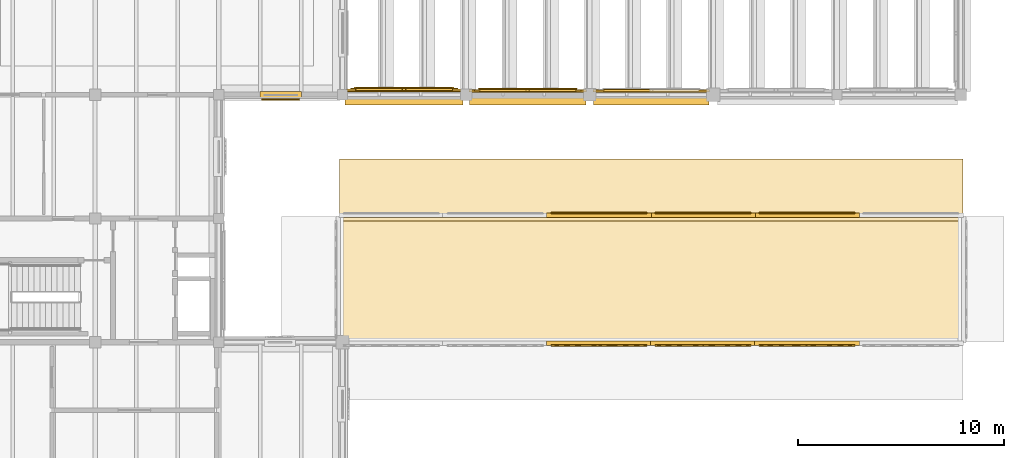
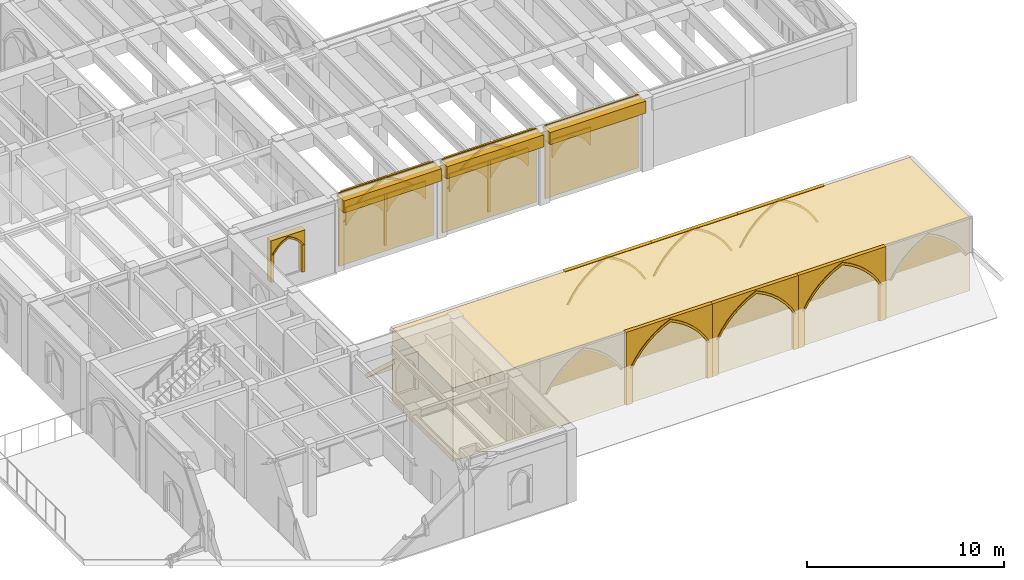
# One storey, part 122 of 127: 36 coverings.
"""IFC4 building model written with IfcOpenShell, lengths in metres."""

from ifc_helpers import new_model, si_unit, direction, frame, origin, origin_2d, place, context, subcontext, project, spatial, polyline, rectangle, outline, extrude, material, type_object, element, save


model = new_model("IFC4")

# Units and contexts
model_context = context("Model", 3, precision=1e-05, world=origin(), true_north=direction((0.0, 1.0)))
body_context = subcontext(model_context, "Body", "Model", "MODEL_VIEW")
ifc_project = project(units=[si_unit("LENGTHUNIT", "METRE"), si_unit("AREAUNIT", "SQUARE_METRE"), si_unit("VOLUMEUNIT", "CUBIC_METRE"), si_unit("PLANEANGLEUNIT", "RADIAN"), si_unit("MASSUNIT", "GRAM", prefix="KILO")], contexts=[model_context])

# Site, building, storey
site_placement = place(None, origin())
site = spatial("IfcSite", under=ifc_project, at=site_placement, CompositionType="ELEMENT")
building_placement = place(site_placement, origin())
building = spatial("IfcBuilding", under=site, at=building_placement, Name="Cumevento Cable Car Station", CompositionType="ELEMENT")
storey_placement = place(building_placement, frame((0.0, 0.0, 4.5)))
storey = spatial("IfcBuildingStorey", under=building, at=storey_placement, Name="L02", CompositionType="ELEMENT", Elevation=4.5)

# Coverings
ifc_material = material(Name="Gnaisse Facoidal Stone Ashlar 85 MPa", Category="masonry")
covering_type = type_object("IfcCoveringType", Name="Gnaisse Ashlar Cladding CV-CL01", PredefinedType="CLADDING", material=ifc_material)
covering_1_placement = place(storey_placement, frame((138.987548828125, 32.85009765625, 3.718017578125), z_axis=(0.0, 0.0, 1.0), x_axis=(1.0, 0.0, 0.0)))
element("IfcCovering", 1, at=covering_1_placement, inside=storey, type_object=covering_type, Name="Gothic Stone Spandrel Stringcourse sc:0455", PredefinedType="CLADDING", context=body_context, shape_type="SweptSolid", body=[
    extrude(rectangle(XDim=5.715087890625, YDim=0.659912109375, at=origin_2d()), origin(), (0.0, 0.0, 1.0), 0.7470703125),
])
covering_2_placement = place(storey_placement, frame((138.987548828125, 33.20751953125, 4.3349609375), z_axis=(0.0, 0.0, 1.0), x_axis=(1.0, 0.0, 0.0)))
element("IfcCovering", 2, at=covering_2_placement, inside=storey, type_object=covering_type, Name="Gothic Cornice Dripstone Lip sc:0455", PredefinedType="CLADDING", context=body_context, shape_type="SweptSolid", body=[
    extrude(rectangle(XDim=5.7548828125, YDim=0.114990234375, at=origin_2d()), origin(), (0.0, 0.0, 1.0), 0.1298828125),
])
covering_3_placement = place(storey_placement, frame((144.987548828125, 32.85009765625, 3.722900390625), z_axis=(0.0, 0.0, 1.0), x_axis=(1.0, 0.0, 0.0)))
element("IfcCovering", 3, at=covering_3_placement, inside=storey, type_object=covering_type, Name="Gothic Stone Spandrel Stringcourse sc:0456", PredefinedType="CLADDING", context=body_context, shape_type="SweptSolid", body=[
    extrude(rectangle(XDim=5.6650390625, YDim=0.659912109375, at=origin_2d()), origin(), (0.0, 0.0, 1.0), 0.7470703125),
])
covering_4_placement = place(storey_placement, frame((144.987548828125, 33.20751953125, 4.340087890625), z_axis=(0.0, 0.0, 1.0), x_axis=(1.0, 0.0, 0.0)))
element("IfcCovering", 4, at=covering_4_placement, inside=storey, type_object=covering_type, Name="Gothic Cornice Dripstone Lip sc:0456", PredefinedType="CLADDING", context=body_context, shape_type="SweptSolid", body=[
    extrude(rectangle(XDim=5.705078125, YDim=0.114990234375, at=origin_2d()), origin(), (0.0, 0.0, 1.0), 0.1298828125),
])
covering_5_placement = place(storey_placement, frame((150.987548828125, 32.85009765625, 3.722900390625), z_axis=(0.0, 0.0, 1.0), x_axis=(1.0, 0.0, 0.0)))
element("IfcCovering", 5, at=covering_5_placement, inside=storey, type_object=covering_type, Name="Gothic Stone Spandrel Stringcourse sc:0457", PredefinedType="CLADDING", context=body_context, shape_type="SweptSolid", body=[
    extrude(rectangle(XDim=5.614990234375, YDim=0.659912109375, at=origin_2d()), origin(), (0.0, 0.0, 1.0), 0.7470703125),
])
covering_6_placement = place(storey_placement, frame((150.987548828125, 33.20751953125, 4.340087890625), z_axis=(0.0, 0.0, 1.0), x_axis=(1.0, 0.0, 0.0)))
element("IfcCovering", 6, at=covering_6_placement, inside=storey, type_object=covering_type, Name="Gothic Cornice Dripstone Lip sc:0457", PredefinedType="CLADDING", context=body_context, shape_type="SweptSolid", body=[
    extrude(rectangle(XDim=5.655029296875, YDim=0.114990234375, at=origin_2d()), origin(), (0.0, 0.0, 1.0), 0.1298828125),
])
covering_7_placement = place(storey_placement, frame((136.25, 33.0, 0.0), z_axis=(0.0, 0.0, 1.0), x_axis=(1.0, 0.0, 0.0)))
element("IfcCovering", 7, at=covering_7_placement, inside=storey, type_object=covering_type, Name="Exterior Gnaisse Stone Wall Ashlar #89", PredefinedType="CLADDING", context=body_context, shape_type="SweptSolid", body=[
    extrude(outline(polyline([(-0.0400390625, -0.02001953125), (5.514892578125, -0.02001953125), (5.514892578125, 4.52001953125), (-0.0400390625, 4.52001953125), (-0.0400390625, -0.02001953125)])), frame((0.0, 0.27490234375, 0.0), z_axis=(0.0, -1.0, 0.0), x_axis=(1.0, 0.0, 0.0)), (0.0, 0.0, 1.0), 0.0849609375),
])
placement_1 = place(storey_placement, frame((136.429931640625, 33.0, 0.300048828125), z_axis=(0.0, 0.0, 1.0), x_axis=(1.0, 0.0, 0.0)))
element("IfcCovering", 8, at=placement_1, inside=storey, type_object=covering_type, Name="Gothic Ogival Pointed-Arch Stone Spandrel blind_ogival:0089", PredefinedType="CLADDING", context=body_context, shape_type="SweptSolid", body=[
    extrude(outline(polyline([(-0.050048828125, 0.0), (-0.050048828125, 4.239990234375), (5.1650390625, 4.239990234375), (5.1650390625, 0.0), (4.85498046875, 0.0), (4.85498046875, 2.219970703125), (4.600830078125, 2.55859375), (4.31787109375, 2.87353515625), (4.0087890625, 3.162841796875), (3.67529296875, 3.423828125), (3.320556640625, 3.65478515625), (2.947021484375, 3.85400390625), (2.5576171875, 4.02001953125), (2.16796875, 3.85400390625), (1.79443359375, 3.65478515625), (1.439697265625, 3.423828125), (1.106201171875, 3.162841796875), (0.797119140625, 2.87353515625), (0.51416015625, 2.55859375), (0.260009765625, 2.219970703125), (0.260009765625, 0.0), (-0.050048828125, 0.0)])), frame((0.0, 0.330078125, 0.0), z_axis=(0.0, -1.0, 0.0), x_axis=(1.0, 0.0, 0.0)), (0.0, 0.0, 1.0), 0.110107421875),
])
covering_9_placement = place(storey_placement, frame((136.429931640625, 33.0, 2.52001953125), z_axis=(0.0, 0.0, 1.0), x_axis=(1.0, 0.0, 0.0)))
element("IfcCovering", 9, at=covering_9_placement, inside=storey, type_object=covering_type, Name="Gothic Pointed Archivolt Hood Moulding blind_ogival:0089", PredefinedType="CLADDING", context=body_context, shape_type="SweptSolid", body=[
    extrude(outline(polyline([(0.260009765625, 0.0), (0.51416015625, 0.338623046875), (0.797119140625, 0.653564453125), (1.106201171875, 0.94287109375), (1.439697265625, 1.203857421875), (1.79443359375, 1.434814453125), (2.16796875, 1.634033203125), (2.5576171875, 1.800048828125), (2.947021484375, 1.634033203125), (3.320556640625, 1.434814453125), (3.67529296875, 1.203857421875), (4.0087890625, 0.94287109375), (4.31787109375, 0.653564453125), (4.600830078125, 0.338623046875), (4.85498046875, 0.0), (4.97607421875, 0.0), (4.71240234375, 0.365966796875), (4.417236328125, 0.70703125), (4.0927734375, 1.0205078125), (3.74169921875, 1.3037109375), (3.36669921875, 1.554443359375), (2.970947265625, 1.77099609375), (2.5576171875, 1.951171875), (2.14404296875, 1.77099609375), (1.748291015625, 1.554443359375), (1.373291015625, 1.3037109375), (1.022216796875, 1.0205078125), (0.69775390625, 0.70703125), (0.402587890625, 0.365966796875), (0.138916015625, 0.0), (0.260009765625, 0.0)])), frame((0.0, 0.3720703125, 0.0), z_axis=(0.0, -1.0, 0.0), x_axis=(1.0, 0.0, 0.0)), (0.0, 0.0, 1.0), 0.06689453125),
])
element("IfcCovering", 10, at=placement_1, inside=storey, type_object=covering_type, Name="Gothic Bifora Stone Colonnette blind_ogival:0089 #1", PredefinedType="CLADDING", context=body_context, shape_type="SweptSolid", body=[
    extrude(outline(polyline([(2.482421875, -0.02001953125), (2.632568359375, -0.02001953125), (2.632568359375, 3.156005859375), (2.482421875, 3.156005859375), (2.482421875, -0.02001953125)])), frame((0.0, 0.318115234375, 0.0), z_axis=(0.0, -1.0, 0.0), x_axis=(1.0, 0.0, 0.0)), (0.0, 0.0, 1.0), 0.094970703125),
])
for number, where, z_axis, x_axis, name in (
    (11, (136.659912109375, 33.0, 2.340087890625), (0.0, 0.0, 1.0), (1.0, 0.0, 0.0), "Gothic Ogival Pointed-Arch Stone Spandrel blind_ogival:0089:sub:0"),
    (12, (139.032470703125, 33.0, 2.340087890625), (0.0, 0.0, 1.0), (1.0, 0.0, 0.0), "Gothic Ogival Pointed-Arch Stone Spandrel blind_ogival:0089:sub:1"),
):
    element("IfcCovering", number, at=place(storey_placement, frame(where, z_axis=z_axis, x_axis=x_axis)), inside=storey, type_object=covering_type, Name=name, PredefinedType="CLADDING", context=body_context, shape_type="SweptSolid", body=[
        extrude(outline(polyline([(-0.02001953125, 0.0), (-0.02001953125, 1.115966796875), (2.302490234375, 1.115966796875), (2.302490234375, 0.0), (2.242431640625, 0.0), (2.10986328125, 0.21435546875), (1.9541015625, 0.41259765625), (1.77685546875, 0.592041015625), (1.58056640625, 0.750244140625), (1.367919921875, 0.885498046875), (1.141357421875, 0.99609375), (0.91455078125, 0.885498046875), (0.701904296875, 0.750244140625), (0.505615234375, 0.592041015625), (0.328369140625, 0.41259765625), (0.172607421875, 0.21435546875), (0.0400390625, 0.0), (-0.02001953125, 0.0)])), frame((0.0, 0.31396484375, 0.0), z_axis=(0.0, -1.0, 0.0), x_axis=(1.0, 0.0, 0.0)), (0.0, 0.0, 1.0), 0.090087890625),
    ])
covering_11_placement = place(storey_placement, frame((142.27490234375, 33.0, 0.0), z_axis=(0.0, 0.0, 1.0), x_axis=(1.0, 0.0, 0.0)))
element("IfcCovering", 13, at=covering_11_placement, inside=storey, type_object=covering_type, Name="Exterior Gnaisse Stone Wall Ashlar #90", PredefinedType="CLADDING", context=body_context, shape_type="SweptSolid", body=[
    extrude(outline(polyline([(-0.0400390625, -0.02001953125), (5.465087890625, -0.02001953125), (5.465087890625, 4.52001953125), (-0.0400390625, 4.52001953125), (-0.0400390625, -0.02001953125)])), frame((0.0, 0.215087890625, 0.0), z_axis=(0.0, -1.0, 0.0), x_axis=(1.0, 0.0, 0.0)), (0.0, 0.0, 1.0), 0.0849609375),
])
placement_2 = place(storey_placement, frame((142.455078125, 33.0, 0.300048828125), z_axis=(0.0, 0.0, 1.0), x_axis=(1.0, 0.0, 0.0)))
element("IfcCovering", 14, at=placement_2, inside=storey, type_object=covering_type, Name="Gothic Ogival Pointed-Arch Stone Spandrel blind_ogival:0090", PredefinedType="CLADDING", context=body_context, shape_type="SweptSolid", body=[
    extrude(outline(polyline([(-0.050048828125, 0.0), (-0.050048828125, 4.239990234375), (5.114990234375, 4.239990234375), (5.114990234375, 0.0), (4.804931640625, 0.0), (4.804931640625, 2.219970703125), (4.554931640625, 2.55810546875), (4.27587890625, 2.873046875), (3.970458984375, 3.162109375), (3.640625, 3.42333984375), (3.289306640625, 3.654541015625), (2.9189453125, 3.85400390625), (2.532470703125, 4.02001953125), (2.14599609375, 3.85400390625), (1.775634765625, 3.654541015625), (1.42431640625, 3.42333984375), (1.094482421875, 3.162109375), (0.7890625, 2.873046875), (0.510009765625, 2.55810546875), (0.260009765625, 2.219970703125), (0.260009765625, 0.0), (-0.050048828125, 0.0)])), frame((0.0, 0.27001953125, 0.0), z_axis=(0.0, -1.0, 0.0), x_axis=(1.0, 0.0, 0.0)), (0.0, 0.0, 1.0), 0.110107421875),
])
covering_13_placement = place(storey_placement, frame((142.455078125, 33.0, 2.52001953125), z_axis=(0.0, 0.0, 1.0), x_axis=(1.0, 0.0, 0.0)))
element("IfcCovering", 15, at=covering_13_placement, inside=storey, type_object=covering_type, Name="Gothic Pointed Archivolt Hood Moulding blind_ogival:0090", PredefinedType="CLADDING", context=body_context, shape_type="SweptSolid", body=[
    extrude(outline(polyline([(0.260009765625, 0.0), (0.510009765625, 0.338134765625), (0.7890625, 0.653076171875), (1.094482421875, 0.942138671875), (1.42431640625, 1.203369140625), (1.775634765625, 1.4345703125), (2.14599609375, 1.634033203125), (2.532470703125, 1.800048828125), (2.9189453125, 1.634033203125), (3.289306640625, 1.4345703125), (3.640625, 1.203369140625), (3.970458984375, 0.942138671875), (4.27587890625, 0.653076171875), (4.554931640625, 0.338134765625), (4.804931640625, 0.0), (4.926025390625, 0.0), (4.66650390625, 0.36572265625), (4.375244140625, 0.70654296875), (4.054443359375, 1.019775390625), (3.70703125, 1.30322265625), (3.33544921875, 1.55419921875), (2.94287109375, 1.770751953125), (2.532470703125, 1.951171875), (2.1220703125, 1.770751953125), (1.7294921875, 1.55419921875), (1.35791015625, 1.30322265625), (1.010498046875, 1.019775390625), (0.689697265625, 0.70654296875), (0.3984375, 0.36572265625), (0.138916015625, 0.0), (0.260009765625, 0.0)])), frame((0.0, 0.31201171875, 0.0), z_axis=(0.0, -1.0, 0.0), x_axis=(1.0, 0.0, 0.0)), (0.0, 0.0, 1.0), 0.06689453125),
])
element("IfcCovering", 16, at=placement_2, inside=storey, type_object=covering_type, Name="Gothic Bifora Stone Colonnette blind_ogival:0090 #1", PredefinedType="CLADDING", context=body_context, shape_type="SweptSolid", body=[
    extrude(outline(polyline([(2.45751953125, -0.02001953125), (2.607421875, -0.02001953125), (2.607421875, 3.156005859375), (2.45751953125, 3.156005859375), (2.45751953125, -0.02001953125)])), frame((0.0, 0.258056640625, 0.0), z_axis=(0.0, -1.0, 0.0), x_axis=(1.0, 0.0, 0.0)), (0.0, 0.0, 1.0), 0.094970703125),
])
for number, where, z_axis, x_axis, name in (
    (17, (142.68505859375, 33.0, 2.340087890625), (0.0, 0.0, 1.0), (1.0, 0.0, 0.0), "Gothic Ogival Pointed-Arch Stone Spandrel blind_ogival:0090:sub:0"),
    (18, (145.032470703125, 33.0, 2.340087890625), (0.0, 0.0, 1.0), (1.0, 0.0, 0.0), "Gothic Ogival Pointed-Arch Stone Spandrel blind_ogival:0090:sub:1"),
):
    element("IfcCovering", number, at=place(storey_placement, frame(where, z_axis=z_axis, x_axis=x_axis)), inside=storey, type_object=covering_type, Name=name, PredefinedType="CLADDING", context=body_context, shape_type="SweptSolid", body=[
        extrude(outline(polyline([(-0.02001953125, 0.0), (-0.02001953125, 1.115966796875), (2.277587890625, 1.115966796875), (2.277587890625, 0.0), (2.217529296875, 0.0), (2.08740234375, 0.214111328125), (1.933837890625, 0.412353515625), (1.7587890625, 0.591796875), (1.564697265625, 0.75), (1.353759765625, 0.885498046875), (1.128662109375, 0.99609375), (0.90380859375, 0.885498046875), (0.69287109375, 0.75), (0.498779296875, 0.591796875), (0.32373046875, 0.412353515625), (0.170166015625, 0.214111328125), (0.0400390625, 0.0), (-0.02001953125, 0.0)])), frame((0.0, 0.25390625, 0.0), z_axis=(0.0, -1.0, 0.0), x_axis=(1.0, 0.0, 0.0)), (0.0, 0.0, 1.0), 0.090087890625),
    ])
covering_15_placement = place(storey_placement, frame((148.300048828125, 33.0, 0.0), z_axis=(0.0, 0.0, 1.0), x_axis=(1.0, 0.0, 0.0)))
element("IfcCovering", 19, at=covering_15_placement, inside=storey, type_object=covering_type, Name="Exterior Gnaisse Stone Wall Ashlar #91", PredefinedType="CLADDING", context=body_context, shape_type="SweptSolid", body=[
    extrude(outline(polyline([(-0.0400390625, -0.02001953125), (5.4150390625, -0.02001953125), (5.4150390625, 4.52001953125), (-0.0400390625, 4.52001953125), (-0.0400390625, -0.02001953125)])), frame((0.0, 0.22509765625, 0.0), z_axis=(0.0, -1.0, 0.0), x_axis=(1.0, 0.0, 0.0)), (0.0, 0.0, 1.0), 0.0849609375),
])
covering_16_placement = place(storey_placement, frame((148.7099609375, 33.0, 2.340087890625), z_axis=(0.0, 0.0, 1.0), x_axis=(1.0, 0.0, 0.0)))
element("IfcCovering", 20, at=covering_16_placement, inside=storey, type_object=covering_type, Name="Gothic Ogival Pointed-Arch Stone Spandrel blind_ogival:0091:sub:0", PredefinedType="CLADDING", context=body_context, shape_type="SweptSolid", body=[
    extrude(outline(polyline([(-0.02001953125, 0.0), (-0.02001953125, 1.115966796875), (2.25244140625, 1.115966796875), (2.25244140625, 0.0), (2.1923828125, 0.0), (2.064697265625, 0.2138671875), (1.91357421875, 0.411865234375), (1.74072265625, 0.59130859375), (1.54833984375, 0.749755859375), (1.33935546875, 0.88525390625), (1.1162109375, 0.99609375), (0.89306640625, 0.88525390625), (0.68408203125, 0.749755859375), (0.49169921875, 0.59130859375), (0.31884765625, 0.411865234375), (0.167724609375, 0.2138671875), (0.0400390625, 0.0), (-0.02001953125, 0.0)])), frame((0.0, 0.263916015625, 0.0), z_axis=(0.0, -1.0, 0.0), x_axis=(1.0, 0.0, 0.0)), (0.0, 0.0, 1.0), 0.090087890625),
])
covering_17_placement = place(storey_placement, frame((133.965087890625, 33.0, 0.699951171875), z_axis=(0.0, 0.0, 1.0), x_axis=(-1.0, 0.0, 0.0)))
element("IfcCovering", 21, at=covering_17_placement, inside=storey, type_object=covering_type, Name="Gothic Ogival Pointed-Arch Stone Spandrel op_ogival:0213:1", PredefinedType="CLADDING", context=body_context, shape_type="SweptSolid", body=[
    extrude(outline(polyline([(-0.0400390625, 0.0), (-0.0400390625, 2.570068359375), (1.969970703125, 2.570068359375), (1.969970703125, 0.0), (1.7900390625, 0.0), (1.7900390625, 1.7060546875), (1.701416015625, 1.833984375), (1.6015625, 1.953369140625), (1.4912109375, 2.063232421875), (1.371337890625, 2.16259765625), (1.242919921875, 2.250732421875), (1.107177734375, 2.32666015625), (0.965087890625, 2.39013671875), (0.82275390625, 2.32666015625), (0.68701171875, 2.250732421875), (0.55859375, 2.16259765625), (0.438720703125, 2.063232421875), (0.328369140625, 1.953369140625), (0.228515625, 1.833984375), (0.139892578125, 1.7060546875), (0.139892578125, 0.0), (-0.0400390625, 0.0)])), frame((0.0, 0.215576171875, 0.0), z_axis=(0.0, -1.0, 0.0), x_axis=(1.0, 0.0, 0.0)), (0.0, 0.0, 1.0), 0.385009765625),
])
covering_18_placement = place(storey_placement, frame((133.965087890625, 33.0, 2.406005859375), z_axis=(0.0, 0.0, 1.0), x_axis=(-1.0, 0.0, 0.0)))
element("IfcCovering", 22, at=covering_18_placement, inside=storey, type_object=covering_type, Name="Gothic Pointed Archivolt Hood Moulding op_ogival:0213:1", PredefinedType="CLADDING", context=body_context, shape_type="SweptSolid", body=[
    extrude(outline(polyline([(0.139892578125, 0.0), (0.228515625, 0.1279296875), (0.328369140625, 0.247314453125), (0.438720703125, 0.357177734375), (0.55859375, 0.45654296875), (0.68701171875, 0.544677734375), (0.82275390625, 0.62060546875), (0.965087890625, 0.68408203125), (1.107177734375, 0.62060546875), (1.242919921875, 0.544677734375), (1.371337890625, 0.45654296875), (1.4912109375, 0.357177734375), (1.6015625, 0.247314453125), (1.701416015625, 0.1279296875), (1.7900390625, 0.0), (1.888916015625, 0.0), (1.792724609375, 0.150390625), (1.682861328125, 0.291015625), (1.56005859375, 0.420654296875), (1.42578125, 0.5380859375), (1.28076171875, 0.642333984375), (1.126708984375, 0.732421875), (0.965087890625, 0.807861328125), (0.80322265625, 0.732421875), (0.649169921875, 0.642333984375), (0.504150390625, 0.5380859375), (0.369873046875, 0.420654296875), (0.2470703125, 0.291015625), (0.13720703125, 0.150390625), (0.041015625, 0.0), (0.139892578125, 0.0)])), frame((0.0, 0.257568359375, 0.0), z_axis=(0.0, -1.0, 0.0), x_axis=(1.0, 0.0, 0.0)), (0.0, 0.0, 1.0), 0.06689453125),
])
covering_19_placement = place(storey_placement, frame((0.0, 0.0, -4.580078125)))
element("IfcCovering", 23, at=covering_19_placement, inside=storey, type_object=covering_type, Name="Stepped Gnaisse Hillside Terrain Shoulder SLOPE_DEP_S1.1", PredefinedType="CLADDING", context=body_context, shape_type="SweptSolid", body=[
    extrude(outline(polyline([(135.85009765625, 21.0), (135.85009765625, 27.10009765625), (166.10009765625, 27.10009765625), (166.10009765625, 21.0), (135.85009765625, 21.0)])), origin(), (0.0, 0.0, 1.0), 4.56005859375),
])
covering_20_placement = place(storey_placement, frame((150.97509765625, 21.0, -4.52001953125), z_axis=(0.0, 0.0, 1.0), x_axis=(-1.0, 0.0, 0.0)))
element("IfcCovering", 24, at=covering_20_placement, inside=storey, type_object=covering_type, Name="Gothic Ogival Pointed-Arch Stone Spandrel cumevento_plinth:bank_arch:SLOPE_DEP_S1:S:2", PredefinedType="CLADDING", context=body_context, shape_type="SweptSolid", body=[
    extrude(outline(polyline([(-0.030029296875, 0.0), (-0.030029296875, 4.52001953125), (5.07177734375, 4.52001953125), (5.07177734375, 0.0), (4.7216796875, 0.0), (4.7216796875, 2.25), (4.4619140625, 2.690185546875), (4.1533203125, 3.097412109375), (3.7998046875, 3.466796875), (3.406494140625, 3.79296875), (2.978271484375, 4.072021484375), (2.520751953125, 4.300048828125), (2.0634765625, 4.072021484375), (1.63525390625, 3.79296875), (1.241943359375, 3.466796875), (0.888427734375, 3.097412109375), (0.579833984375, 2.690185546875), (0.320068359375, 2.25), (0.320068359375, 0.0), (-0.030029296875, 0.0)])), frame((0.0, 0.159912109375, 0.0), z_axis=(0.0, -1.0, 0.0), x_axis=(1.0, 0.0, 0.0)), (0.0, 0.0, 1.0), 0.219970703125),
])
covering_21_placement = place(storey_placement, frame((150.97509765625, 21.0, -2.27001953125), z_axis=(0.0, 0.0, 1.0), x_axis=(-1.0, 0.0, 0.0)))
element("IfcCovering", 25, at=covering_21_placement, inside=storey, type_object=covering_type, Name="Gothic Pointed Archivolt Hood Moulding cumevento_plinth:bank_arch:SLOPE_DEP_S1:S:2", PredefinedType="CLADDING", context=body_context, shape_type="SweptSolid", body=[
    extrude(outline(polyline([(0.320068359375, 0.0), (0.579833984375, 0.440185546875), (0.888427734375, 0.847412109375), (1.241943359375, 1.216796875), (1.63525390625, 1.54296875), (2.0634765625, 1.822021484375), (2.520751953125, 2.050048828125), (2.978271484375, 1.822021484375), (3.406494140625, 1.54296875), (3.7998046875, 1.216796875), (4.1533203125, 0.847412109375), (4.4619140625, 0.440185546875), (4.7216796875, 0.0), (4.8427734375, 0.0), (4.572021484375, 0.4716796875), (4.248291015625, 0.90869140625), (3.8759765625, 1.305419921875), (3.4599609375, 1.656005859375), (3.00634765625, 1.9560546875), (2.520751953125, 2.201171875), (2.035400390625, 1.9560546875), (1.581787109375, 1.656005859375), (1.165771484375, 1.305419921875), (0.79345703125, 0.90869140625), (0.4697265625, 0.4716796875), (0.198974609375, 0.0), (0.320068359375, 0.0)])), frame((0.0, 0.201904296875, 0.0), z_axis=(0.0, -1.0, 0.0), x_axis=(1.0, 0.0, 0.0)), (0.0, 0.0, 1.0), 0.06689453125),
])
covering_22_placement = place(storey_placement, frame((156.0166015625, 21.0, -4.52001953125), z_axis=(0.0, 0.0, 1.0), x_axis=(-1.0, 0.0, 0.0)))
element("IfcCovering", 26, at=covering_22_placement, inside=storey, type_object=covering_type, Name="Gothic Ogival Pointed-Arch Stone Spandrel cumevento_plinth:bank_arch:SLOPE_DEP_S1:S:3", PredefinedType="CLADDING", context=body_context, shape_type="SweptSolid", body=[
    extrude(outline(polyline([(-0.030029296875, 0.0), (-0.030029296875, 4.52001953125), (5.07177734375, 4.52001953125), (5.07177734375, 0.0), (4.7216796875, 0.0), (4.7216796875, 2.25), (4.4619140625, 2.690185546875), (4.1533203125, 3.097412109375), (3.7998046875, 3.466796875), (3.406494140625, 3.79296875), (2.978271484375, 4.072021484375), (2.520751953125, 4.300048828125), (2.0634765625, 4.072021484375), (1.63525390625, 3.79296875), (1.241943359375, 3.466796875), (0.888427734375, 3.097412109375), (0.579833984375, 2.690185546875), (0.320068359375, 2.25), (0.320068359375, 0.0), (-0.030029296875, 0.0)])), frame((0.0, 0.159912109375, 0.0), z_axis=(0.0, -1.0, 0.0), x_axis=(1.0, 0.0, 0.0)), (0.0, 0.0, 1.0), 0.219970703125),
])
covering_23_placement = place(storey_placement, frame((156.0166015625, 21.0, -2.27001953125), z_axis=(0.0, 0.0, 1.0), x_axis=(-1.0, 0.0, 0.0)))
element("IfcCovering", 27, at=covering_23_placement, inside=storey, type_object=covering_type, Name="Gothic Pointed Archivolt Hood Moulding cumevento_plinth:bank_arch:SLOPE_DEP_S1:S:3", PredefinedType="CLADDING", context=body_context, shape_type="SweptSolid", body=[
    extrude(outline(polyline([(0.320068359375, 0.0), (0.579833984375, 0.440185546875), (0.888427734375, 0.847412109375), (1.241943359375, 1.216796875), (1.63525390625, 1.54296875), (2.0634765625, 1.822021484375), (2.520751953125, 2.050048828125), (2.978271484375, 1.822021484375), (3.406494140625, 1.54296875), (3.7998046875, 1.216796875), (4.1533203125, 0.847412109375), (4.4619140625, 0.440185546875), (4.7216796875, 0.0), (4.8427734375, 0.0), (4.572021484375, 0.4716796875), (4.248291015625, 0.90869140625), (3.8759765625, 1.305419921875), (3.4599609375, 1.656005859375), (3.00634765625, 1.9560546875), (2.520751953125, 2.201171875), (2.035400390625, 1.9560546875), (1.581787109375, 1.656005859375), (1.165771484375, 1.305419921875), (0.79345703125, 0.90869140625), (0.4697265625, 0.4716796875), (0.198974609375, 0.0), (0.320068359375, 0.0)])), frame((0.0, 0.201904296875, 0.0), z_axis=(0.0, -1.0, 0.0), x_axis=(1.0, 0.0, 0.0)), (0.0, 0.0, 1.0), 0.06689453125),
])
covering_24_placement = place(storey_placement, frame((161.058349609375, 21.0, -4.52001953125), z_axis=(0.0, 0.0, 1.0), x_axis=(-1.0, 0.0, 0.0)))
element("IfcCovering", 28, at=covering_24_placement, inside=storey, type_object=covering_type, Name="Gothic Ogival Pointed-Arch Stone Spandrel cumevento_plinth:bank_arch:SLOPE_DEP_S1:S:4", PredefinedType="CLADDING", context=body_context, shape_type="SweptSolid", body=[
    extrude(outline(polyline([(-0.030029296875, 0.0), (-0.030029296875, 4.52001953125), (5.07177734375, 4.52001953125), (5.07177734375, 0.0), (4.7216796875, 0.0), (4.7216796875, 2.25), (4.4619140625, 2.690185546875), (4.1533203125, 3.097412109375), (3.7998046875, 3.466796875), (3.406494140625, 3.79296875), (2.978271484375, 4.072021484375), (2.520751953125, 4.300048828125), (2.0634765625, 4.072021484375), (1.63525390625, 3.79296875), (1.241943359375, 3.466796875), (0.888427734375, 3.097412109375), (0.579833984375, 2.690185546875), (0.320068359375, 2.25), (0.320068359375, 0.0), (-0.030029296875, 0.0)])), frame((0.0, 0.159912109375, 0.0), z_axis=(0.0, -1.0, 0.0), x_axis=(1.0, 0.0, 0.0)), (0.0, 0.0, 1.0), 0.219970703125),
])
covering_25_placement = place(storey_placement, frame((161.058349609375, 21.0, -2.27001953125), z_axis=(0.0, 0.0, 1.0), x_axis=(-1.0, 0.0, 0.0)))
element("IfcCovering", 29, at=covering_25_placement, inside=storey, type_object=covering_type, Name="Gothic Pointed Archivolt Hood Moulding cumevento_plinth:bank_arch:SLOPE_DEP_S1:S:4", PredefinedType="CLADDING", context=body_context, shape_type="SweptSolid", body=[
    extrude(outline(polyline([(0.320068359375, 0.0), (0.579833984375, 0.440185546875), (0.888427734375, 0.847412109375), (1.241943359375, 1.216796875), (1.63525390625, 1.54296875), (2.0634765625, 1.822021484375), (2.520751953125, 2.050048828125), (2.978271484375, 1.822021484375), (3.406494140625, 1.54296875), (3.7998046875, 1.216796875), (4.1533203125, 0.847412109375), (4.4619140625, 0.440185546875), (4.7216796875, 0.0), (4.8427734375, 0.0), (4.572021484375, 0.4716796875), (4.248291015625, 0.90869140625), (3.8759765625, 1.305419921875), (3.4599609375, 1.656005859375), (3.00634765625, 1.9560546875), (2.520751953125, 2.201171875), (2.035400390625, 1.9560546875), (1.581787109375, 1.656005859375), (1.165771484375, 1.305419921875), (0.79345703125, 0.90869140625), (0.4697265625, 0.4716796875), (0.198974609375, 0.0), (0.320068359375, 0.0)])), frame((0.0, 0.201904296875, 0.0), z_axis=(0.0, -1.0, 0.0), x_axis=(1.0, 0.0, 0.0)), (0.0, 0.0, 1.0), 0.06689453125),
])
covering_26_placement = place(storey_placement, frame((156.0166015625, 27.10009765625, -4.52001953125), z_axis=(0.0, 0.0, 1.0), x_axis=(1.0, 0.0, 0.0)))
element("IfcCovering", 30, at=covering_26_placement, inside=storey, type_object=covering_type, Name="Gothic Ogival Pointed-Arch Stone Spandrel cumevento_plinth:bank_arch:SLOPE_DEP_S1:N:1", PredefinedType="CLADDING", context=body_context, shape_type="SweptSolid", body=[
    extrude(outline(polyline([(-0.030029296875, 0.0), (-0.030029296875, 4.52001953125), (5.07177734375, 4.52001953125), (5.07177734375, 0.0), (4.7216796875, 0.0), (4.7216796875, 2.25), (4.4619140625, 2.690185546875), (4.1533203125, 3.097412109375), (3.7998046875, 3.466796875), (3.406494140625, 3.79296875), (2.978271484375, 4.072021484375), (2.520751953125, 4.300048828125), (2.0634765625, 4.072021484375), (1.63525390625, 3.79296875), (1.241943359375, 3.466796875), (0.888427734375, 3.097412109375), (0.579833984375, 2.690185546875), (0.320068359375, 2.25), (0.320068359375, 0.0), (-0.030029296875, 0.0)])), frame((0.0, 0.159912109375, 0.0), z_axis=(0.0, -1.0, 0.0), x_axis=(1.0, 0.0, 0.0)), (0.0, 0.0, 1.0), 0.219970703125),
])
covering_27_placement = place(storey_placement, frame((156.0166015625, 27.10009765625, -2.27001953125), z_axis=(0.0, 0.0, 1.0), x_axis=(1.0, 0.0, 0.0)))
element("IfcCovering", 31, at=covering_27_placement, inside=storey, type_object=covering_type, Name="Gothic Pointed Archivolt Hood Moulding cumevento_plinth:bank_arch:SLOPE_DEP_S1:N:1", PredefinedType="CLADDING", context=body_context, shape_type="SweptSolid", body=[
    extrude(outline(polyline([(0.320068359375, 0.0), (0.579833984375, 0.440185546875), (0.888427734375, 0.847412109375), (1.241943359375, 1.216796875), (1.63525390625, 1.54296875), (2.0634765625, 1.822021484375), (2.520751953125, 2.050048828125), (2.978271484375, 1.822021484375), (3.406494140625, 1.54296875), (3.7998046875, 1.216796875), (4.1533203125, 0.847412109375), (4.4619140625, 0.440185546875), (4.7216796875, 0.0), (4.8427734375, 0.0), (4.572021484375, 0.4716796875), (4.248291015625, 0.90869140625), (3.8759765625, 1.305419921875), (3.4599609375, 1.656005859375), (3.00634765625, 1.9560546875), (2.520751953125, 2.201171875), (2.035400390625, 1.9560546875), (1.581787109375, 1.656005859375), (1.165771484375, 1.305419921875), (0.79345703125, 0.90869140625), (0.4697265625, 0.4716796875), (0.198974609375, 0.0), (0.320068359375, 0.0)])), frame((0.0, 0.201904296875, 0.0), z_axis=(0.0, -1.0, 0.0), x_axis=(1.0, 0.0, 0.0)), (0.0, 0.0, 1.0), 0.06689453125),
])
covering_28_placement = place(storey_placement, frame((150.97509765625, 27.10009765625, -4.52001953125), z_axis=(0.0, 0.0, 1.0), x_axis=(1.0, 0.0, 0.0)))
element("IfcCovering", 32, at=covering_28_placement, inside=storey, type_object=covering_type, Name="Gothic Ogival Pointed-Arch Stone Spandrel cumevento_plinth:bank_arch:SLOPE_DEP_S1:N:2", PredefinedType="CLADDING", context=body_context, shape_type="SweptSolid", body=[
    extrude(outline(polyline([(-0.030029296875, 0.0), (-0.030029296875, 4.52001953125), (5.07177734375, 4.52001953125), (5.07177734375, 0.0), (4.7216796875, 0.0), (4.7216796875, 2.25), (4.4619140625, 2.690185546875), (4.1533203125, 3.097412109375), (3.7998046875, 3.466796875), (3.406494140625, 3.79296875), (2.978271484375, 4.072021484375), (2.520751953125, 4.300048828125), (2.0634765625, 4.072021484375), (1.63525390625, 3.79296875), (1.241943359375, 3.466796875), (0.888427734375, 3.097412109375), (0.579833984375, 2.690185546875), (0.320068359375, 2.25), (0.320068359375, 0.0), (-0.030029296875, 0.0)])), frame((0.0, 0.159912109375, 0.0), z_axis=(0.0, -1.0, 0.0), x_axis=(1.0, 0.0, 0.0)), (0.0, 0.0, 1.0), 0.219970703125),
])
covering_29_placement = place(storey_placement, frame((150.97509765625, 27.10009765625, -2.27001953125), z_axis=(0.0, 0.0, 1.0), x_axis=(1.0, 0.0, 0.0)))
element("IfcCovering", 33, at=covering_29_placement, inside=storey, type_object=covering_type, Name="Gothic Pointed Archivolt Hood Moulding cumevento_plinth:bank_arch:SLOPE_DEP_S1:N:2", PredefinedType="CLADDING", context=body_context, shape_type="SweptSolid", body=[
    extrude(outline(polyline([(0.320068359375, 0.0), (0.579833984375, 0.440185546875), (0.888427734375, 0.847412109375), (1.241943359375, 1.216796875), (1.63525390625, 1.54296875), (2.0634765625, 1.822021484375), (2.520751953125, 2.050048828125), (2.978271484375, 1.822021484375), (3.406494140625, 1.54296875), (3.7998046875, 1.216796875), (4.1533203125, 0.847412109375), (4.4619140625, 0.440185546875), (4.7216796875, 0.0), (4.8427734375, 0.0), (4.572021484375, 0.4716796875), (4.248291015625, 0.90869140625), (3.8759765625, 1.305419921875), (3.4599609375, 1.656005859375), (3.00634765625, 1.9560546875), (2.520751953125, 2.201171875), (2.035400390625, 1.9560546875), (1.581787109375, 1.656005859375), (1.165771484375, 1.305419921875), (0.79345703125, 0.90869140625), (0.4697265625, 0.4716796875), (0.198974609375, 0.0), (0.320068359375, 0.0)])), frame((0.0, 0.201904296875, 0.0), z_axis=(0.0, -1.0, 0.0), x_axis=(1.0, 0.0, 0.0)), (0.0, 0.0, 1.0), 0.06689453125),
])
covering_30_placement = place(storey_placement, frame((145.933349609375, 27.10009765625, -4.52001953125), z_axis=(0.0, 0.0, 1.0), x_axis=(1.0, 0.0, 0.0)))
element("IfcCovering", 34, at=covering_30_placement, inside=storey, type_object=covering_type, Name="Gothic Ogival Pointed-Arch Stone Spandrel cumevento_plinth:bank_arch:SLOPE_DEP_S1:N:3", PredefinedType="CLADDING", context=body_context, shape_type="SweptSolid", body=[
    extrude(outline(polyline([(-0.030029296875, 0.0), (-0.030029296875, 4.52001953125), (5.07177734375, 4.52001953125), (5.07177734375, 0.0), (4.7216796875, 0.0), (4.7216796875, 2.25), (4.4619140625, 2.690185546875), (4.1533203125, 3.097412109375), (3.7998046875, 3.466796875), (3.406494140625, 3.79296875), (2.978271484375, 4.072021484375), (2.520751953125, 4.300048828125), (2.0634765625, 4.072021484375), (1.63525390625, 3.79296875), (1.241943359375, 3.466796875), (0.888427734375, 3.097412109375), (0.579833984375, 2.690185546875), (0.320068359375, 2.25), (0.320068359375, 0.0), (-0.030029296875, 0.0)])), frame((0.0, 0.159912109375, 0.0), z_axis=(0.0, -1.0, 0.0), x_axis=(1.0, 0.0, 0.0)), (0.0, 0.0, 1.0), 0.219970703125),
])
covering_31_placement = place(storey_placement, frame((145.933349609375, 27.10009765625, -2.27001953125), z_axis=(0.0, 0.0, 1.0), x_axis=(1.0, 0.0, 0.0)))
element("IfcCovering", 35, at=covering_31_placement, inside=storey, type_object=covering_type, Name="Gothic Pointed Archivolt Hood Moulding cumevento_plinth:bank_arch:SLOPE_DEP_S1:N:3", PredefinedType="CLADDING", context=body_context, shape_type="SweptSolid", body=[
    extrude(outline(polyline([(0.320068359375, 0.0), (0.579833984375, 0.440185546875), (0.888427734375, 0.847412109375), (1.241943359375, 1.216796875), (1.63525390625, 1.54296875), (2.0634765625, 1.822021484375), (2.520751953125, 2.050048828125), (2.978271484375, 1.822021484375), (3.406494140625, 1.54296875), (3.7998046875, 1.216796875), (4.1533203125, 0.847412109375), (4.4619140625, 0.440185546875), (4.7216796875, 0.0), (4.8427734375, 0.0), (4.572021484375, 0.4716796875), (4.248291015625, 0.90869140625), (3.8759765625, 1.305419921875), (3.4599609375, 1.656005859375), (3.00634765625, 1.9560546875), (2.520751953125, 2.201171875), (2.035400390625, 1.9560546875), (1.581787109375, 1.656005859375), (1.165771484375, 1.305419921875), (0.79345703125, 0.90869140625), (0.4697265625, 0.4716796875), (0.198974609375, 0.0), (0.320068359375, 0.0)])), frame((0.0, 0.201904296875, 0.0), z_axis=(0.0, -1.0, 0.0), x_axis=(1.0, 0.0, 0.0)), (0.0, 0.0, 1.0), 0.06689453125),
])
covering_32_placement = place(storey_placement, frame((166.10009765625, 29.89990234375, -4.5400390625), z_axis=(0.0, 0.676481559293, 0.736459571149), x_axis=(-1.0, 0.0, 0.0)))
element("IfcCovering", 36, at=covering_32_placement, inside=storey, type_object=covering_type, Name="Sloped Gnaisse Hillside Talus SLOPE_DEP_S1 N", PredefinedType="CLADDING", context=body_context, shape_type="SweptSolid", body=[
    extrude(outline(polyline([(0.0, 0.0), (30.25, 0.0), (30.25, 3.8832590318428775), (0.0, 3.8832590318428775), (0.0, 0.0)])), origin(), (0.0, 0.0, -1.0), 0.219970703125),
])

save(model, "model.ifc")
